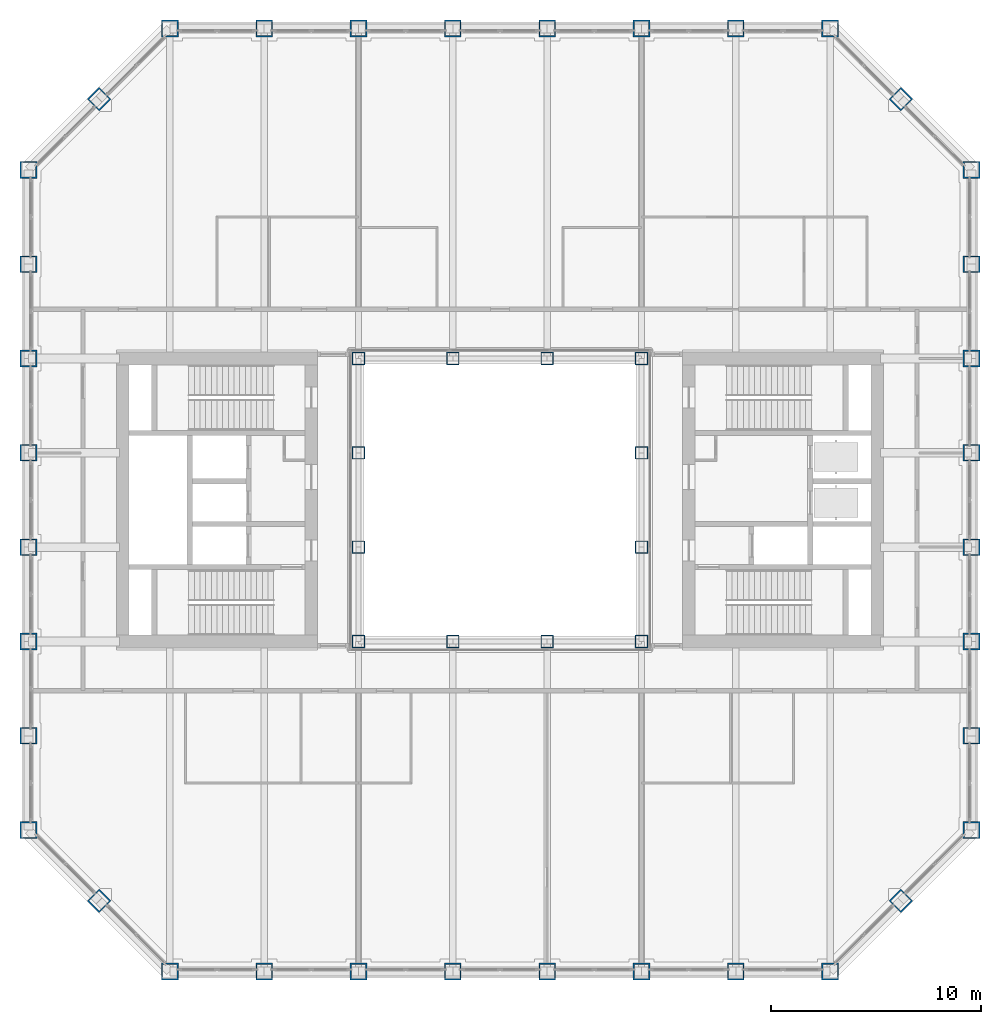
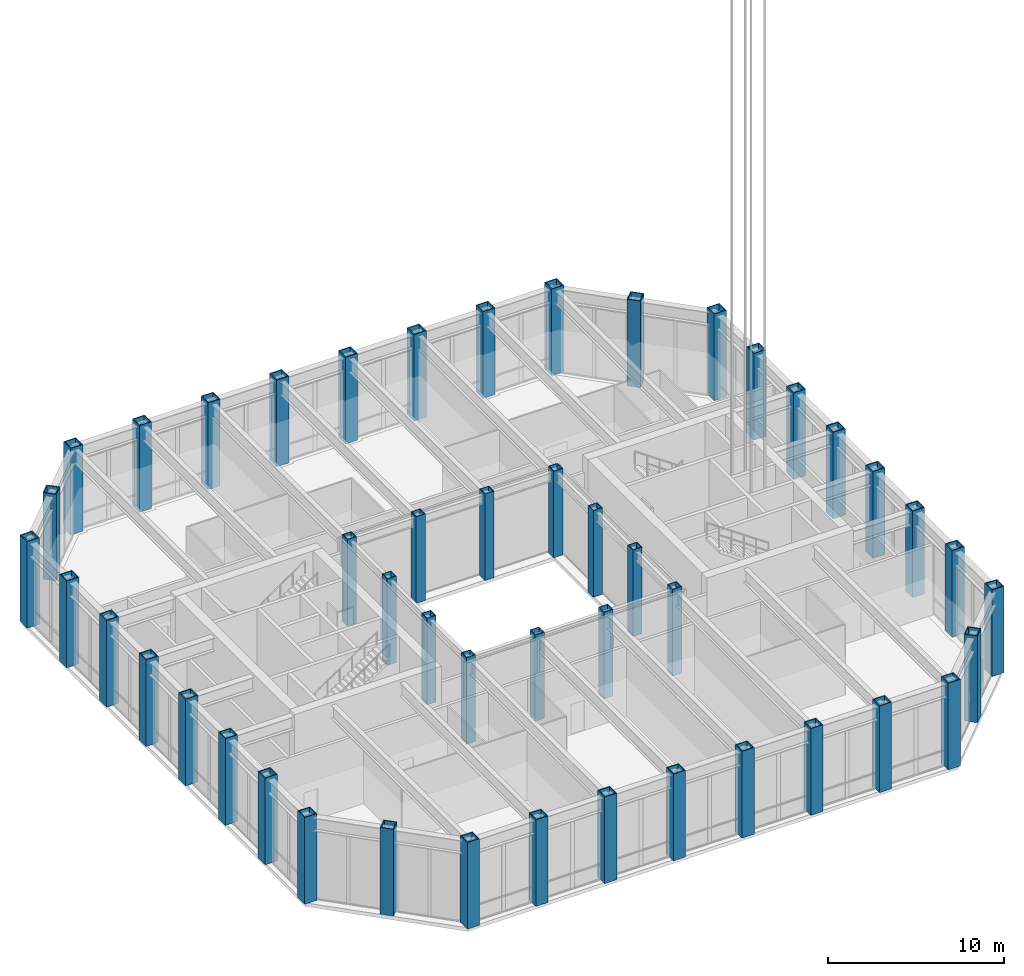
# One storey, part 1 of 22: 48 columns.
"""IFC4 building model written with IfcOpenShell, lengths in metres."""

from ifc_helpers import new_model, si_unit, direction, frame, origin, origin_2d, place, context, subcontext, project, spatial, hollow_rectangle, extrude, material, material_profile, profile_set, type_object, element, save


model = new_model("IFC4")

# Units and contexts
model_context = context("Model", 3, precision=1e-05, world=origin(), true_north=direction((0.0, 1.0)))
body_context = subcontext(model_context, "Body", "Model", "MODEL_VIEW")
ifc_project = project(units=[si_unit("LENGTHUNIT", "METRE"), si_unit("AREAUNIT", "SQUARE_METRE"), si_unit("VOLUMEUNIT", "CUBIC_METRE"), si_unit("PLANEANGLEUNIT", "RADIAN"), si_unit("MASSUNIT", "GRAM", prefix="KILO")], contexts=[model_context])

# Site, building, storey
site_placement = place(None, origin())
site = spatial("IfcSite", under=ifc_project, at=site_placement, CompositionType="ELEMENT")
building_placement = place(site_placement, origin())
building = spatial("IfcBuilding", under=site, at=building_placement, Name="Msasa Ring Tower", CompositionType="ELEMENT")
storey_placement = place(building_placement, frame((0.0, 0.0, 112.39990234375)))
storey = spatial("IfcBuildingStorey", under=building, at=storey_placement, Name="L29", CompositionType="ELEMENT", Elevation=112.39990234375)

# Columns
ifc_material_1 = material(Name="Steel S355", Category="steel")
ifc_material_profile_1 = material_profile(ifc_material_1, hollow_rectangle(XDim=0.60009765625, YDim=0.60009765625, WallThickness=0.0400390625, at=origin_2d()), Name="BOX 600x600x40")
ifc_profile_set_1 = profile_set([ifc_material_profile_1], Name="Steel S355")
column_type_1 = type_object("IfcColumnType", Name="IC4 BOX 600x600x40", PredefinedType="COLUMN", material=ifc_profile_set_1)
for number, where, z_axis, x_axis, name in (
    (1, (-6.75, -6.75, 0.0), (0.0, 0.0, 1.0), (1.0, 0.0, 0.0), "Inner ring column IR-6.75-6.75 L29"),
    (2, (-6.75, -2.25, 0.0), (0.0, 0.0, 1.0), (1.0, 0.0, 0.0), "Inner ring column IR-6.75-2.25 L29"),
    (3, (-6.75, 2.25, 0.0), (0.0, 0.0, 1.0), (1.0, 0.0, 0.0), "Inner ring column IR-6.75+2.25 L29"),
    (4, (-6.75, 6.75, 0.0), (0.0, 0.0, 1.0), (1.0, 0.0, 0.0), "Inner ring column IR-6.75+6.75 L29"),
    (5, (-2.25, -6.75, 0.0), (0.0, 0.0, 1.0), (1.0, 0.0, 0.0), "Inner ring column IR-2.25-6.75 L29"),
    (6, (-2.25, 6.75, 0.0), (0.0, 0.0, 1.0), (1.0, 0.0, 0.0), "Inner ring column IR-2.25+6.75 L29"),
    (7, (2.25, -6.75, 0.0), (0.0, 0.0, 1.0), (1.0, 0.0, 0.0), "Inner ring column IR+2.25-6.75 L29"),
    (8, (2.25, 6.75, 0.0), (0.0, 0.0, 1.0), (1.0, 0.0, 0.0), "Inner ring column IR+2.25+6.75 L29"),
    (9, (6.75, -6.75, 0.0), (0.0, 0.0, 1.0), (1.0, 0.0, 0.0), "Inner ring column IR+6.75-6.75 L29"),
    (10, (6.75, -2.25, 0.0), (0.0, 0.0, 1.0), (1.0, 0.0, 0.0), "Inner ring column IR+6.75-2.25 L29"),
    (11, (6.75, 2.25, 0.0), (0.0, 0.0, 1.0), (1.0, 0.0, 0.0), "Inner ring column IR+6.75+2.25 L29"),
    (12, (6.75, 6.75, 0.0), (0.0, 0.0, 1.0), (1.0, 0.0, 0.0), "Inner ring column IR+6.75+6.75 L29"),
):
    element("IfcColumn", number, at=place(storey_placement, frame(where, z_axis=z_axis, x_axis=x_axis)), inside=storey, type_object=column_type_1, Name=name, PredefinedType="COLUMN", context=body_context, shape_type="SweptSolid", body=[
        extrude(hollow_rectangle(XDim=0.60009765625, YDim=0.60009765625, WallThickness=0.0400390625, at=origin_2d()), origin(), (0.0, 0.0, 1.0), 6.0),
    ])
ifc_material_2 = material(Name="Steel S355", Category="steel")
ifc_material_profile_2 = material_profile(ifc_material_2, hollow_rectangle(XDim=0.800048828125, YDim=0.800048828125, WallThickness=0.06005859375, at=origin_2d()), Name="BOX 800x800x60")
ifc_profile_set_2 = profile_set([ifc_material_profile_2], Name="Steel S355")
column_type_2 = type_object("IfcColumnType", Name="TC3 BOX 800x800x60", PredefinedType="COLUMN", material=ifc_profile_set_2)
for number, where, z_axis, x_axis, name in (
    (13, (-15.75, -22.5, 0.0), (0.0, 0.0, 1.0), (0.0, 1.0, 0.0), "Tube column S-15.75 L29"),
    (14, (-15.75, 22.5, 0.0), (0.0, 0.0, 1.0), (0.0, 1.0, 0.0), "Tube column N-15.75 L29"),
    (15, (22.5, -15.75, 0.0), (0.0, 0.0, 1.0), (1.0, 0.0, 0.0), "Tube column E-15.75 L29"),
    (16, (-22.5, -15.75, 0.0), (0.0, 0.0, 1.0), (1.0, 0.0, 0.0), "Tube column W-15.75 L29"),
    (17, (-11.25, -22.5, 0.0), (0.0, 0.0, 1.0), (0.0, 1.0, 0.0), "Tube column S-11.25 L29"),
    (18, (-11.25, 22.5, 0.0), (0.0, 0.0, 1.0), (0.0, 1.0, 0.0), "Tube column N-11.25 L29"),
    (19, (22.5, -11.25, 0.0), (0.0, 0.0, 1.0), (1.0, 0.0, 0.0), "Tube column E-11.25 L29"),
    (20, (-22.5, -11.25, 0.0), (0.0, 0.0, 1.0), (1.0, 0.0, 0.0), "Tube column W-11.25 L29"),
    (21, (-6.75, -22.5, 0.0), (0.0, 0.0, 1.0), (0.0, 1.0, 0.0), "Tube column S-6.75 L29"),
    (22, (-6.75, 22.5, 0.0), (0.0, 0.0, 1.0), (0.0, 1.0, 0.0), "Tube column N-6.75 L29"),
    (23, (22.5, -6.75, 0.0), (0.0, 0.0, 1.0), (1.0, 0.0, 0.0), "Tube column E-6.75 L29"),
    (24, (-22.5, -6.75, 0.0), (0.0, 0.0, 1.0), (1.0, 0.0, 0.0), "Tube column W-6.75 L29"),
    (25, (-2.25, -22.5, 0.0), (0.0, 0.0, 1.0), (0.0, 1.0, 0.0), "Tube column S-2.25 L29"),
    (26, (-2.25, 22.5, 0.0), (0.0, 0.0, 1.0), (0.0, 1.0, 0.0), "Tube column N-2.25 L29"),
    (27, (22.5, -2.25, 0.0), (0.0, 0.0, 1.0), (1.0, 0.0, 0.0), "Tube column E-2.25 L29"),
    (28, (-22.5, -2.25, 0.0), (0.0, 0.0, 1.0), (1.0, 0.0, 0.0), "Tube column W-2.25 L29"),
    (29, (2.25, -22.5, 0.0), (0.0, 0.0, 1.0), (0.0, 1.0, 0.0), "Tube column S+2.25 L29"),
    (30, (2.25, 22.5, 0.0), (0.0, 0.0, 1.0), (0.0, 1.0, 0.0), "Tube column N+2.25 L29"),
    (31, (22.5, 2.25, 0.0), (0.0, 0.0, 1.0), (1.0, 0.0, 0.0), "Tube column E+2.25 L29"),
    (32, (-22.5, 2.25, 0.0), (0.0, 0.0, 1.0), (1.0, 0.0, 0.0), "Tube column W+2.25 L29"),
    (33, (6.75, -22.5, 0.0), (0.0, 0.0, 1.0), (0.0, 1.0, 0.0), "Tube column S+6.75 L29"),
    (34, (6.75, 22.5, 0.0), (0.0, 0.0, 1.0), (0.0, 1.0, 0.0), "Tube column N+6.75 L29"),
    (35, (22.5, 6.75, 0.0), (0.0, 0.0, 1.0), (1.0, 0.0, 0.0), "Tube column E+6.75 L29"),
    (36, (-22.5, 6.75, 0.0), (0.0, 0.0, 1.0), (1.0, 0.0, 0.0), "Tube column W+6.75 L29"),
    (37, (11.25, -22.5, 0.0), (0.0, 0.0, 1.0), (0.0, 1.0, 0.0), "Tube column S+11.25 L29"),
    (38, (11.25, 22.5, 0.0), (0.0, 0.0, 1.0), (0.0, 1.0, 0.0), "Tube column N+11.25 L29"),
    (39, (22.5, 11.25, 0.0), (0.0, 0.0, 1.0), (1.0, 0.0, 0.0), "Tube column E+11.25 L29"),
    (40, (-22.5, 11.25, 0.0), (0.0, 0.0, 1.0), (1.0, 0.0, 0.0), "Tube column W+11.25 L29"),
    (41, (15.75, -22.5, 0.0), (0.0, 0.0, 1.0), (0.0, 1.0, 0.0), "Tube column S+15.75 L29"),
    (42, (15.75, 22.5, 0.0), (0.0, 0.0, 1.0), (0.0, 1.0, 0.0), "Tube column N+15.75 L29"),
    (43, (22.5, 15.75, 0.0), (0.0, 0.0, 1.0), (1.0, 0.0, 0.0), "Tube column E+15.75 L29"),
    (44, (-22.5, 15.75, 0.0), (0.0, 0.0, 1.0), (1.0, 0.0, 0.0), "Tube column W+15.75 L29"),
    (45, (19.125, -19.125, 0.0), (0.0, 0.0, 1.0), (0.707106781187, -0.707106781187, 0.0), "Tube column SE L29"),
    (46, (19.125, 19.125, 0.0), (0.0, 0.0, 1.0), (0.707106781187, 0.707106781187, 0.0), "Tube column NE L29"),
    (47, (-19.125, 19.125, 0.0), (0.0, 0.0, 1.0), (0.707106781187, -0.707106781187, 0.0), "Tube column NW L29"),
    (48, (-19.125, -19.125, 0.0), (0.0, 0.0, 1.0), (0.707106781187, 0.707106781187, 0.0), "Tube column SW L29"),
):
    element("IfcColumn", number, at=place(storey_placement, frame(where, z_axis=z_axis, x_axis=x_axis)), inside=storey, type_object=column_type_2, Name=name, PredefinedType="COLUMN", context=body_context, shape_type="SweptSolid", body=[
        extrude(hollow_rectangle(XDim=0.800048828125, YDim=0.800048828125, WallThickness=0.06005859375, at=origin_2d()), origin(), (0.0, 0.0, 1.0), 6.0),
    ])

save(model, "model.ifc")
